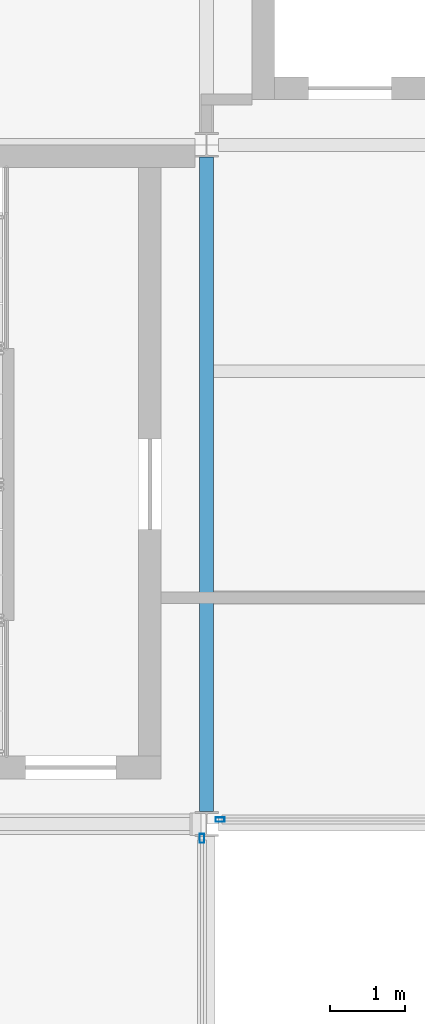
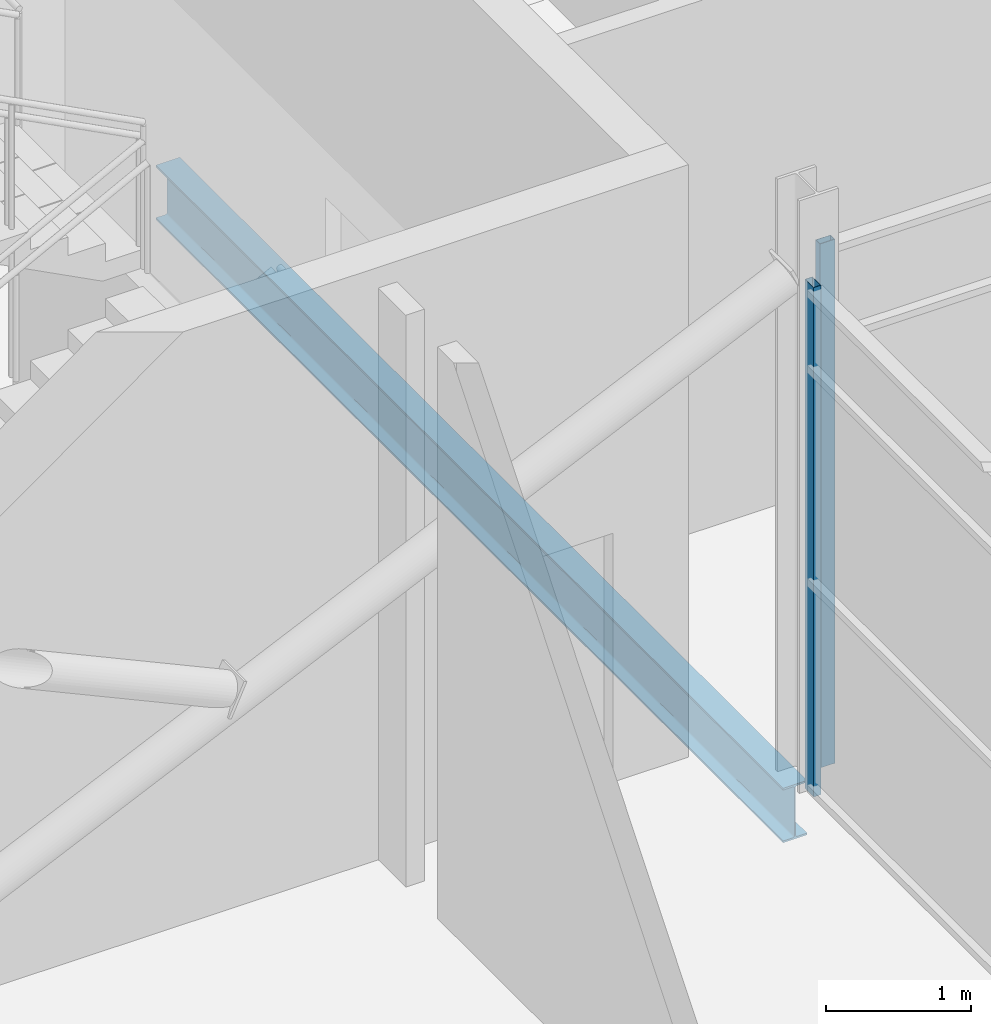
# One storey, part 49 of 115: 2 members, 1 beam, 2 elements without a shape of their own.
"""IFC4 building model written with IfcOpenShell, lengths in metres."""

from ifc_helpers import new_model, si_unit, direction, frame, origin, origin_2d, place, context, subcontext, project, spatial, hollow_rectangle, i_section, extrude, material, layer, layer_set, material_profile, profile_set, type_object, element, aggregate, save


model = new_model("IFC4")

# Units and contexts
model_context = context("Model", 3, precision=1e-05, world=origin(), true_north=direction((0.0, 1.0)))
body_context = subcontext(model_context, "Body", "Model", "MODEL_VIEW")
ifc_project = project(units=[si_unit("LENGTHUNIT", "METRE"), si_unit("AREAUNIT", "SQUARE_METRE"), si_unit("VOLUMEUNIT", "CUBIC_METRE"), si_unit("PLANEANGLEUNIT", "RADIAN"), si_unit("MASSUNIT", "GRAM", prefix="KILO")], contexts=[model_context])

# Site, building, storey
site_placement = place(None, origin())
site = spatial("IfcSite", under=ifc_project, at=site_placement, CompositionType="ELEMENT")
building_placement = place(site_placement, origin())
building = spatial("IfcBuilding", under=site, at=building_placement, Name="Shorebreak Coast Museum", CompositionType="ELEMENT")
storey_placement = place(building_placement, frame((0.0, 0.0, 11.0)))
storey = spatial("IfcBuildingStorey", under=building, at=storey_placement, Name="L02", CompositionType="ELEMENT", Elevation=11.0)

# Beam
ifc_material_1 = material(Name="Steel Grade 300", Category="steel")
ifc_material_profile_1 = material_profile(ifc_material_1, i_section(OverallWidth=0.19091796875, OverallDepth=0.46044921875, WebThickness=0.010009765625, FlangeThickness=0.01611328125, FilletRadius=0.011474609375, at=origin_2d()), Name="460UB82.1")
ifc_profile_set_1 = profile_set([ifc_material_profile_1], Name="Steel Grade 300")
beam_type = type_object("IfcBeamType", Name="Floor girder north-south 460UB82.1", PredefinedType="BEAM", material=ifc_profile_set_1)
beam_placement = place(storey_placement, frame((63.0, 81.16357421875, -0.4052734375), z_axis=(0.0, 1.0, 0.0), x_axis=(-1.0, 0.0, 0.0)))
element("IfcBeam", 1, at=beam_placement, inside=storey, type_object=beam_type, Name="Floor girder north-south L02 8K", PredefinedType="BEAM", context=body_context, shape_type="SweptSolid", body=[
    extrude(i_section(OverallWidth=0.19091796875, OverallDepth=0.46044921875, WebThickness=0.010009765625, FlangeThickness=0.01611328125, FilletRadius=0.011474609375, at=origin_2d()), origin(), (0.0, 0.0, 1.0), 8.6728515625),
])

# Curtain wall, member
ifc_material_2 = material(Name="Aluminium", Category="aluminium")
ifc_layer = layer(ifc_material_2, 0.1201171875)
ifc_layer_set = layer_set([ifc_layer], Name="Aluminium")
curtain_wall_type = type_object("IfcCurtainWallType", Name="Atrium fire screen", PredefinedType="NOTDEFINED", material=ifc_layer_set)
curtain_wall_1_placement = place(storey_placement, origin())
curtain_wall_1 = element("IfcCurtainWall", 2, at=curtain_wall_1_placement, inside=storey, type_object=curtain_wall_type, Name="Atrium screen L02 N 22", PredefinedType="NOTDEFINED")
ifc_material_3 = material(Name="Aluminium", Category="aluminium")
ifc_material_profile_2 = material_profile(ifc_material_3, hollow_rectangle(XDim=0.06005859375, YDim=0.1201171875, WallThickness=0.00341796875, at=origin_2d()), Name="AL 120x60 RHS")
ifc_profile_set_2 = profile_set([ifc_material_profile_2], Name="Aluminium")
member_type = type_object("IfcMemberType", Name="Screen mullion 50 x 120", PredefinedType="MULLION", material=ifc_profile_set_2)
member_1_placement = place(storey_placement, frame((63.180419921875, 81.06005859375, 0.0), z_axis=(0.0, 0.0, 1.0), x_axis=(0.0, 1.0, 0.0)))
member_1 = element("IfcMember", 3, at=member_1_placement, type_object=member_type, Name="CW5 mullion 1", PredefinedType="MULLION", context=body_context, shape_type="SweptSolid", body=[
    extrude(hollow_rectangle(XDim=0.06005859375, YDim=0.1201171875, WallThickness=0.00341796875, at=origin_2d()), origin(), (0.0, 0.0, 1.0), 4.42236328125),
])
aggregate(curtain_wall_1, [member_1])

curtain_wall_2_placement = place(storey_placement, origin())
curtain_wall_2 = element("IfcCurtainWall", 4, at=curtain_wall_2_placement, inside=storey, type_object=curtain_wall_type, Name="Atrium screen L02 W 29", PredefinedType="NOTDEFINED")
member_2_placement = place(storey_placement, frame((62.93994140625, 80.811279296875, 0.0), z_axis=(0.0, 0.0, 1.0), x_axis=(-1.0, 0.0, 0.0)))
member_2 = element("IfcMember", 5, at=member_2_placement, type_object=member_type, Name="CW6 mullion 2", PredefinedType="MULLION", context=body_context, shape_type="SweptSolid", body=[
    extrude(hollow_rectangle(XDim=0.06005859375, YDim=0.1201171875, WallThickness=0.00341796875, at=origin_2d()), origin(), (0.0, 0.0, 1.0), 4.296875),
])
aggregate(curtain_wall_2, [member_2])

save(model, "model.ifc")
